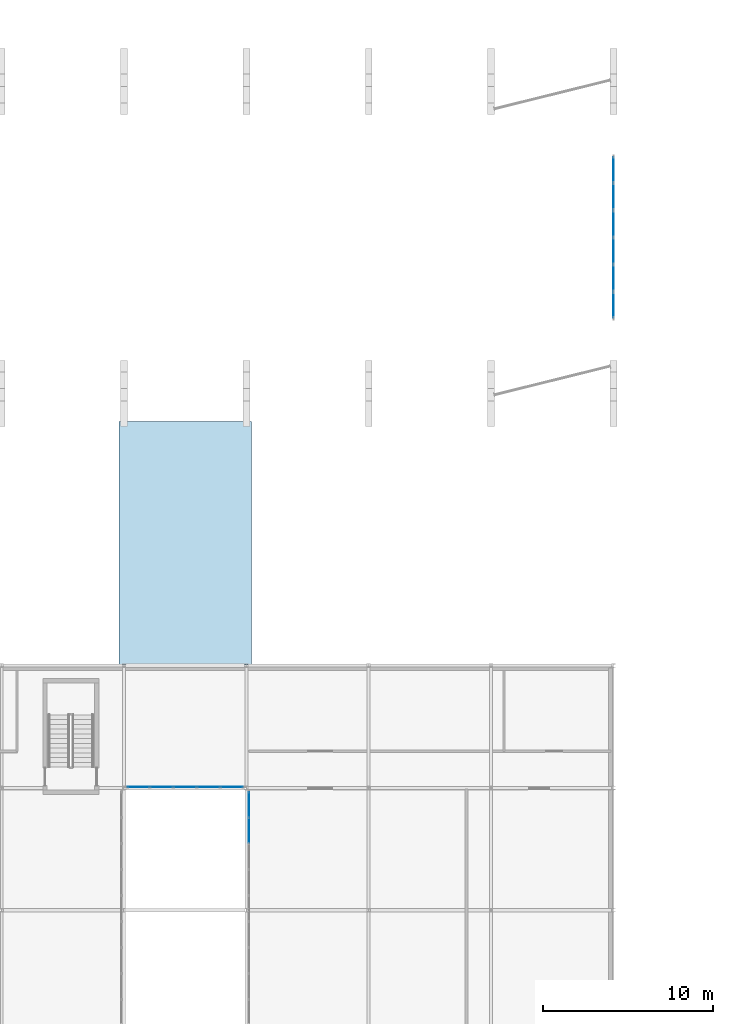
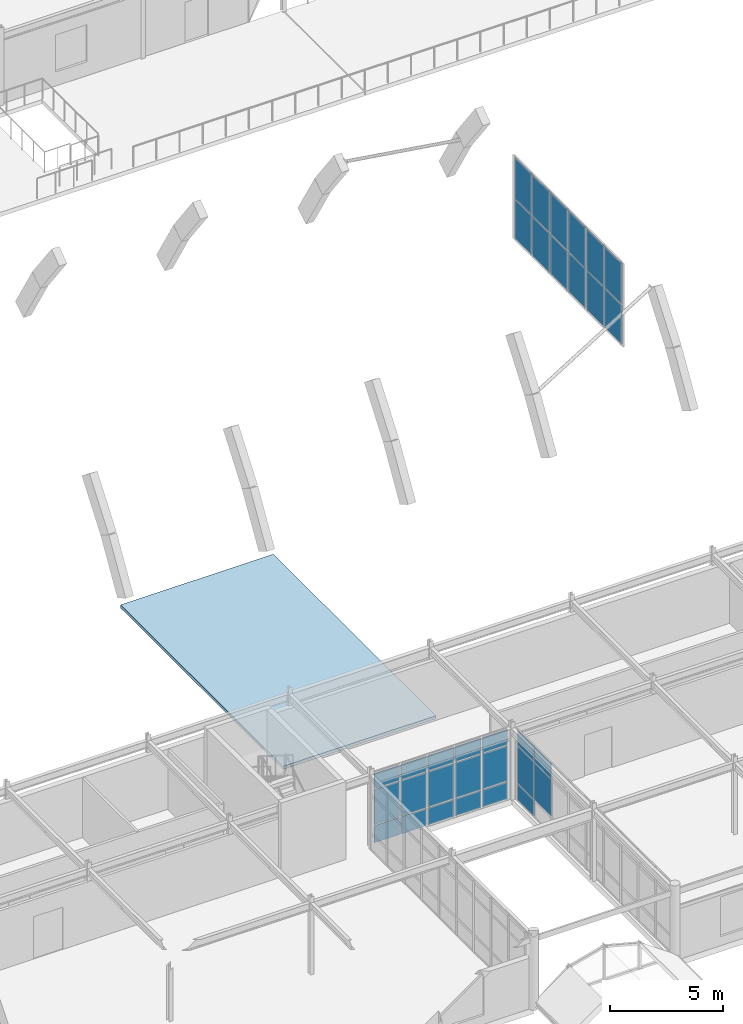
# One storey, part 37 of 85: 32 plates, 1 slab, 3 elements without a shape of their own.
"""IFC4 building model written with IfcOpenShell, lengths in metres."""

from ifc_helpers import new_model, si_unit, direction, frame, origin, origin_2d, place, context, subcontext, project, spatial, polyline, rectangle, outline, extrude, material, layer, layer_set, type_object, element, aggregate, save


model = new_model("IFC4")

# Units and contexts
model_context = context("Model", 3, precision=1e-05, world=origin(), true_north=direction((0.0, 1.0)))
body_context = subcontext(model_context, "Body", "Model", "MODEL_VIEW")
ifc_project = project(units=[si_unit("LENGTHUNIT", "METRE"), si_unit("AREAUNIT", "SQUARE_METRE"), si_unit("VOLUMEUNIT", "CUBIC_METRE"), si_unit("PLANEANGLEUNIT", "RADIAN"), si_unit("MASSUNIT", "GRAM", prefix="KILO")], contexts=[model_context])

# Site, building, storey
site_placement = place(None, origin())
site = spatial("IfcSite", under=ifc_project, at=site_placement, CompositionType="ELEMENT")
building_placement = place(site_placement, origin())
building = spatial("IfcBuilding", under=site, at=building_placement, Name="Ochrevale Crest", CompositionType="ELEMENT")
storey_placement = place(building_placement, frame((0.0, 0.0, 4.5)))
storey = spatial("IfcBuildingStorey", under=building, at=storey_placement, Name="L01", CompositionType="ELEMENT", Elevation=4.5)

# Curtain wall, plates
ifc_material_1 = material(Name="Anodised aluminium 6063-T5", Category="aluminium")
ifc_layer_1 = layer(ifc_material_1, 0.14990234375)
ifc_layer_set_1 = layer_set([ifc_layer_1], Name="Anodised aluminium 6063-T5")
curtain_wall_type_1 = type_object("IfcCurtainWallType", Name="CW-LNG-480x385", PredefinedType="NOTDEFINED", material=ifc_layer_set_1)
curtain_wall_1_placement = place(storey_placement, origin())
curtain_wall_1 = element("IfcCurtainWall", 1, at=curtain_wall_1_placement, inside=storey, type_object=curtain_wall_type_1, Name="Upper Arcade E passage overlook curtain wall", PredefinedType="NOTDEFINED")
ifc_material_2 = material(Name="Double-glazed low-E insulated glass unit", Category="glass")
ifc_layer_2 = layer(ifc_material_2, 0.028076171875)
ifc_layer_set_2 = layer_set([ifc_layer_2], Name="Double-glazed low-E insulated glass unit")
plate_type_1 = type_object("IfcPlateType", Name="CW-PNL-IGU28", PredefinedType="CURTAIN_PANEL", material=ifc_layer_set_2)
plate_1_placement = place(storey_placement, frame((86.550048828125, 19.10009765625, 0.97998046875), z_axis=(0.0, 0.0, 1.0), x_axis=(0.0, 1.0, 0.0)))
plate_1 = element("IfcPlate", 2, at=plate_1_placement, type_object=plate_type_1, Name="CW11 panel 8.2", PredefinedType="CURTAIN_PANEL", context=body_context, shape_type="SweptSolid", body=[
    extrude(rectangle(XDim=1.46826171875, YDim=0.028076171875, at=origin_2d()), origin(), (0.0, 0.0, 1.0), 1.989990234375),
])
plate_2_placement = place(storey_placement, frame((86.550048828125, 19.10009765625, 3.02978515625), z_axis=(0.0, 0.0, 1.0), x_axis=(0.0, 1.0, 0.0)))
plate_2 = element("IfcPlate", 3, at=plate_2_placement, type_object=plate_type_1, Name="CW11 panel 8.3", PredefinedType="CURTAIN_PANEL", context=body_context, shape_type="SweptSolid", body=[
    extrude(rectangle(XDim=1.46826171875, YDim=0.028076171875, at=origin_2d()), origin(), (0.0, 0.0, 1.0), 0.760009765625),
])
plate_3_placement = place(storey_placement, frame((86.550048828125, 20.6171875, 0.06005859375), z_axis=(0.0, 0.0, 1.0), x_axis=(0.0, 1.0, 0.0)))
plate_3 = element("IfcPlate", 4, at=plate_3_placement, type_object=plate_type_1, Name="CW11 panel 9.1", PredefinedType="CURTAIN_PANEL", context=body_context, shape_type="SweptSolid", body=[
    extrude(rectangle(XDim=1.435791015625, YDim=0.028076171875, at=origin_2d()), origin(), (0.0, 0.0, 1.0), 0.860107421875),
])
plate_4_placement = place(storey_placement, frame((86.550048828125, 20.6171875, 0.97998046875), z_axis=(0.0, 0.0, 1.0), x_axis=(0.0, 1.0, 0.0)))
plate_4 = element("IfcPlate", 5, at=plate_4_placement, type_object=plate_type_1, Name="CW11 panel 9.2", PredefinedType="CURTAIN_PANEL", context=body_context, shape_type="SweptSolid", body=[
    extrude(rectangle(XDim=1.435791015625, YDim=0.028076171875, at=origin_2d()), origin(), (0.0, 0.0, 1.0), 1.989990234375),
])
plate_5_placement = place(storey_placement, frame((86.550048828125, 20.6171875, 3.02978515625), z_axis=(0.0, 0.0, 1.0), x_axis=(0.0, 1.0, 0.0)))
plate_5 = element("IfcPlate", 6, at=plate_5_placement, type_object=plate_type_1, Name="CW11 panel 9.3", PredefinedType="CURTAIN_PANEL", context=body_context, shape_type="SweptSolid", body=[
    extrude(rectangle(XDim=1.435791015625, YDim=0.028076171875, at=origin_2d()), origin(), (0.0, 0.0, 1.0), 0.760009765625),
])
aggregate(curtain_wall_1, [plate_1, plate_2, plate_3, plate_4, plate_5])

ifc_layer_3 = layer(ifc_material_1, 0.14990234375)
ifc_layer_set_3 = layer_set([ifc_layer_3], Name="Anodised aluminium 6063-T5")
curtain_wall_type_2 = type_object("IfcCurtainWallType", Name="CW-HALL-960x430", PredefinedType="NOTDEFINED", material=ifc_layer_set_3)
curtain_wall_2_placement = place(storey_placement, origin())
curtain_wall_2 = element("IfcCurtainWall", 7, at=curtain_wall_2_placement, inside=storey, type_object=curtain_wall_type_2, Name="Community Hall E barrel-vault glazed tympanum curtain wall", PredefinedType="NOTDEFINED")
ifc_material_3 = material(Name="Acoustic laminated low-E insulated glass unit", Category="glass")
ifc_layer_4 = layer(ifc_material_3, 0.0380859375)
ifc_layer_set_4 = layer_set([ifc_layer_4], Name="Acoustic laminated low-E insulated glass unit")
plate_type_2 = type_object("IfcPlateType", Name="CW-PNL-IGU38", PredefinedType="CURTAIN_PANEL", material=ifc_layer_set_4)
plate_6_placement = place(storey_placement, frame((108.0, 50.018798828125, 0.1650390625), z_axis=(0.0, 0.0, 1.0), x_axis=(0.0, 1.0, 0.0)))
plate_6 = element("IfcPlate", 8, at=plate_6_placement, type_object=plate_type_2, Name="CW21 panel 1.1", PredefinedType="CURTAIN_PANEL", context=body_context, shape_type="SweptSolid", body=[
    extrude(rectangle(XDim=1.487548828125, YDim=0.0380859375, at=origin_2d()), origin(), (0.0, 0.0, 1.0), 2.1025390625),
])
plate_7_placement = place(storey_placement, frame((108.0, 50.018798828125, 2.33251953125), z_axis=(0.0, 0.0, 1.0), x_axis=(0.0, 1.0, 0.0)))
plate_7 = element("IfcPlate", 9, at=plate_7_placement, type_object=plate_type_2, Name="CW21 panel 1.2", PredefinedType="CURTAIN_PANEL", context=body_context, shape_type="SweptSolid", body=[
    extrude(rectangle(XDim=1.487548828125, YDim=0.0380859375, at=origin_2d()), origin(), (0.0, 0.0, 1.0), 2.1826171875),
])
plate_8_placement = place(storey_placement, frame((108.0, 51.60009765625, 0.1650390625), z_axis=(0.0, 0.0, 1.0), x_axis=(0.0, 1.0, 0.0)))
plate_8 = element("IfcPlate", 10, at=plate_8_placement, type_object=plate_type_2, Name="CW21 panel 2.1", PredefinedType="CURTAIN_PANEL", context=body_context, shape_type="SweptSolid", body=[
    extrude(rectangle(XDim=1.52490234375, YDim=0.0380859375, at=origin_2d()), origin(), (0.0, 0.0, 1.0), 2.1025390625),
])
plate_9_placement = place(storey_placement, frame((108.0, 51.60009765625, 2.33251953125), z_axis=(0.0, 0.0, 1.0), x_axis=(0.0, 1.0, 0.0)))
plate_9 = element("IfcPlate", 11, at=plate_9_placement, type_object=plate_type_2, Name="CW21 panel 2.2", PredefinedType="CURTAIN_PANEL", context=body_context, shape_type="SweptSolid", body=[
    extrude(rectangle(XDim=1.52490234375, YDim=0.0380859375, at=origin_2d()), origin(), (0.0, 0.0, 1.0), 2.1826171875),
])
plate_10_placement = place(storey_placement, frame((108.0, 53.199951171875, 0.1650390625), z_axis=(0.0, 0.0, 1.0), x_axis=(0.0, 1.0, 0.0)))
plate_10 = element("IfcPlate", 12, at=plate_10_placement, type_object=plate_type_2, Name="CW21 panel 3.1", PredefinedType="CURTAIN_PANEL", context=body_context, shape_type="SweptSolid", body=[
    extrude(rectangle(XDim=1.52490234375, YDim=0.0380859375, at=origin_2d()), origin(), (0.0, 0.0, 1.0), 2.1025390625),
])
plate_11_placement = place(storey_placement, frame((108.0, 53.199951171875, 2.33251953125), z_axis=(0.0, 0.0, 1.0), x_axis=(0.0, 1.0, 0.0)))
plate_11 = element("IfcPlate", 13, at=plate_11_placement, type_object=plate_type_2, Name="CW21 panel 3.2", PredefinedType="CURTAIN_PANEL", context=body_context, shape_type="SweptSolid", body=[
    extrude(rectangle(XDim=1.52490234375, YDim=0.0380859375, at=origin_2d()), origin(), (0.0, 0.0, 1.0), 2.1826171875),
])
plate_12_placement = place(storey_placement, frame((108.0, 54.800048828125, 0.1650390625), z_axis=(0.0, 0.0, 1.0), x_axis=(0.0, 1.0, 0.0)))
plate_12 = element("IfcPlate", 14, at=plate_12_placement, type_object=plate_type_2, Name="CW21 panel 4.1", PredefinedType="CURTAIN_PANEL", context=body_context, shape_type="SweptSolid", body=[
    extrude(rectangle(XDim=1.52490234375, YDim=0.0380859375, at=origin_2d()), origin(), (0.0, 0.0, 1.0), 2.1025390625),
])
plate_13_placement = place(storey_placement, frame((108.0, 54.800048828125, 2.33251953125), z_axis=(0.0, 0.0, 1.0), x_axis=(0.0, 1.0, 0.0)))
plate_13 = element("IfcPlate", 15, at=plate_13_placement, type_object=plate_type_2, Name="CW21 panel 4.2", PredefinedType="CURTAIN_PANEL", context=body_context, shape_type="SweptSolid", body=[
    extrude(rectangle(XDim=1.52490234375, YDim=0.0380859375, at=origin_2d()), origin(), (0.0, 0.0, 1.0), 2.1826171875),
])
plate_14_placement = place(storey_placement, frame((108.0, 56.39990234375, 0.1650390625), z_axis=(0.0, 0.0, 1.0), x_axis=(0.0, 1.0, 0.0)))
plate_14 = element("IfcPlate", 16, at=plate_14_placement, type_object=plate_type_2, Name="CW21 panel 5.1", PredefinedType="CURTAIN_PANEL", context=body_context, shape_type="SweptSolid", body=[
    extrude(rectangle(XDim=1.52490234375, YDim=0.0380859375, at=origin_2d()), origin(), (0.0, 0.0, 1.0), 2.1025390625),
])
plate_15_placement = place(storey_placement, frame((108.0, 56.39990234375, 2.33251953125), z_axis=(0.0, 0.0, 1.0), x_axis=(0.0, 1.0, 0.0)))
plate_15 = element("IfcPlate", 17, at=plate_15_placement, type_object=plate_type_2, Name="CW21 panel 5.2", PredefinedType="CURTAIN_PANEL", context=body_context, shape_type="SweptSolid", body=[
    extrude(rectangle(XDim=1.52490234375, YDim=0.0380859375, at=origin_2d()), origin(), (0.0, 0.0, 1.0), 2.1826171875),
])
plate_16_placement = place(storey_placement, frame((108.0, 57.981201171875, 0.1650390625), z_axis=(0.0, 0.0, 1.0), x_axis=(0.0, 1.0, 0.0)))
plate_16 = element("IfcPlate", 18, at=plate_16_placement, type_object=plate_type_2, Name="CW21 panel 6.1", PredefinedType="CURTAIN_PANEL", context=body_context, shape_type="SweptSolid", body=[
    extrude(rectangle(XDim=1.487548828125, YDim=0.0380859375, at=origin_2d()), origin(), (0.0, 0.0, 1.0), 2.1025390625),
])
plate_17_placement = place(storey_placement, frame((108.0, 57.981201171875, 2.33251953125), z_axis=(0.0, 0.0, 1.0), x_axis=(0.0, 1.0, 0.0)))
plate_17 = element("IfcPlate", 19, at=plate_17_placement, type_object=plate_type_2, Name="CW21 panel 6.2", PredefinedType="CURTAIN_PANEL", context=body_context, shape_type="SweptSolid", body=[
    extrude(rectangle(XDim=1.487548828125, YDim=0.0380859375, at=origin_2d()), origin(), (0.0, 0.0, 1.0), 2.1826171875),
])
aggregate(curtain_wall_2, [plate_6, plate_7, plate_8, plate_9, plate_10, plate_11, plate_12, plate_13, plate_14, plate_15, plate_16, plate_17])

ifc_layer_5 = layer(ifc_material_1, 0.14990234375)
ifc_layer_set_5 = layer_set([ifc_layer_5], Name="Anodised aluminium 6063-T5")
curtain_wall_type_3 = type_object("IfcCurtainWallType", Name="CW-LNG-600x385", PredefinedType="NOTDEFINED", material=ifc_layer_set_5)
curtain_wall_3_placement = place(storey_placement, origin())
curtain_wall_3 = element("IfcCurtainWall", 20, at=curtain_wall_3_placement, inside=storey, type_object=curtain_wall_type_3, Name="Residents Gallery Bridge south curtain wall over public passage", PredefinedType="NOTDEFINED")
plate_18_placement = place(storey_placement, frame((80.049560546875, 21.64990234375, 0.06005859375), z_axis=(0.0, 0.0, 1.0), x_axis=(1.0, 0.0, 0.0)))
plate_18 = element("IfcPlate", 21, at=plate_18_placement, type_object=plate_type_2, Name="CW12 panel 1.1", PredefinedType="CURTAIN_PANEL", context=body_context, shape_type="SweptSolid", body=[
    extrude(rectangle(XDim=1.285888671875, YDim=0.0380859375, at=origin_2d()), origin(), (0.0, 0.0, 1.0), 0.909912109375),
])
plate_19_placement = place(storey_placement, frame((80.049560546875, 21.64990234375, 1.0302734375), z_axis=(0.0, 0.0, 1.0), x_axis=(1.0, 0.0, 0.0)))
plate_19 = element("IfcPlate", 22, at=plate_19_placement, type_object=plate_type_2, Name="CW12 panel 1.2", PredefinedType="CURTAIN_PANEL", context=body_context, shape_type="SweptSolid", body=[
    extrude(rectangle(XDim=1.285888671875, YDim=0.0380859375, at=origin_2d()), origin(), (0.0, 0.0, 1.0), 1.889892578125),
])
plate_20_placement = place(storey_placement, frame((80.049560546875, 21.64990234375, 2.97998046875), z_axis=(0.0, 0.0, 1.0), x_axis=(1.0, 0.0, 0.0)))
plate_20 = element("IfcPlate", 23, at=plate_20_placement, type_object=plate_type_2, Name="CW12 panel 1.3", PredefinedType="CURTAIN_PANEL", context=body_context, shape_type="SweptSolid", body=[
    extrude(rectangle(XDim=1.285888671875, YDim=0.0380859375, at=origin_2d()), origin(), (0.0, 0.0, 1.0), 0.81005859375),
])
plate_21_placement = place(storey_placement, frame((81.416748046875, 21.64990234375, 0.06005859375), z_axis=(0.0, 0.0, 1.0), x_axis=(1.0, 0.0, 0.0)))
plate_21 = element("IfcPlate", 24, at=plate_21_placement, type_object=plate_type_2, Name="CW12 panel 2.1", PredefinedType="CURTAIN_PANEL", context=body_context, shape_type="SweptSolid", body=[
    extrude(rectangle(XDim=1.318359375, YDim=0.0380859375, at=origin_2d()), origin(), (0.0, 0.0, 1.0), 0.909912109375),
])
plate_22_placement = place(storey_placement, frame((81.416748046875, 21.64990234375, 1.0302734375), z_axis=(0.0, 0.0, 1.0), x_axis=(1.0, 0.0, 0.0)))
plate_22 = element("IfcPlate", 25, at=plate_22_placement, type_object=plate_type_2, Name="CW12 panel 2.2", PredefinedType="CURTAIN_PANEL", context=body_context, shape_type="SweptSolid", body=[
    extrude(rectangle(XDim=1.318359375, YDim=0.0380859375, at=origin_2d()), origin(), (0.0, 0.0, 1.0), 1.889892578125),
])
plate_23_placement = place(storey_placement, frame((81.416748046875, 21.64990234375, 2.97998046875), z_axis=(0.0, 0.0, 1.0), x_axis=(1.0, 0.0, 0.0)))
plate_23 = element("IfcPlate", 26, at=plate_23_placement, type_object=plate_type_2, Name="CW12 panel 2.3", PredefinedType="CURTAIN_PANEL", context=body_context, shape_type="SweptSolid", body=[
    extrude(rectangle(XDim=1.318359375, YDim=0.0380859375, at=origin_2d()), origin(), (0.0, 0.0, 1.0), 0.81005859375),
])
plate_24_placement = place(storey_placement, frame((82.800048828125, 21.64990234375, 0.06005859375), z_axis=(0.0, 0.0, 1.0), x_axis=(1.0, 0.0, 0.0)))
plate_24 = element("IfcPlate", 27, at=plate_24_placement, type_object=plate_type_2, Name="CW12 panel 3.1", PredefinedType="CURTAIN_PANEL", context=body_context, shape_type="SweptSolid", body=[
    extrude(rectangle(XDim=1.318359375, YDim=0.0380859375, at=origin_2d()), origin(), (0.0, 0.0, 1.0), 0.909912109375),
])
plate_25_placement = place(storey_placement, frame((82.800048828125, 21.64990234375, 1.0302734375), z_axis=(0.0, 0.0, 1.0), x_axis=(1.0, 0.0, 0.0)))
plate_25 = element("IfcPlate", 28, at=plate_25_placement, type_object=plate_type_2, Name="CW12 panel 3.2", PredefinedType="CURTAIN_PANEL", context=body_context, shape_type="SweptSolid", body=[
    extrude(rectangle(XDim=1.318359375, YDim=0.0380859375, at=origin_2d()), origin(), (0.0, 0.0, 1.0), 1.889892578125),
])
plate_26_placement = place(storey_placement, frame((82.800048828125, 21.64990234375, 2.97998046875), z_axis=(0.0, 0.0, 1.0), x_axis=(1.0, 0.0, 0.0)))
plate_26 = element("IfcPlate", 29, at=plate_26_placement, type_object=plate_type_2, Name="CW12 panel 3.3", PredefinedType="CURTAIN_PANEL", context=body_context, shape_type="SweptSolid", body=[
    extrude(rectangle(XDim=1.318359375, YDim=0.0380859375, at=origin_2d()), origin(), (0.0, 0.0, 1.0), 0.81005859375),
])
plate_27_placement = place(storey_placement, frame((84.183349609375, 21.64990234375, 0.06005859375), z_axis=(0.0, 0.0, 1.0), x_axis=(1.0, 0.0, 0.0)))
plate_27 = element("IfcPlate", 30, at=plate_27_placement, type_object=plate_type_2, Name="CW12 panel 4.1", PredefinedType="CURTAIN_PANEL", context=body_context, shape_type="SweptSolid", body=[
    extrude(rectangle(XDim=1.318359375, YDim=0.0380859375, at=origin_2d()), origin(), (0.0, 0.0, 1.0), 0.909912109375),
])
plate_28_placement = place(storey_placement, frame((84.183349609375, 21.64990234375, 1.0302734375), z_axis=(0.0, 0.0, 1.0), x_axis=(1.0, 0.0, 0.0)))
plate_28 = element("IfcPlate", 31, at=plate_28_placement, type_object=plate_type_2, Name="CW12 panel 4.2", PredefinedType="CURTAIN_PANEL", context=body_context, shape_type="SweptSolid", body=[
    extrude(rectangle(XDim=1.318359375, YDim=0.0380859375, at=origin_2d()), origin(), (0.0, 0.0, 1.0), 1.889892578125),
])
plate_29_placement = place(storey_placement, frame((84.183349609375, 21.64990234375, 2.97998046875), z_axis=(0.0, 0.0, 1.0), x_axis=(1.0, 0.0, 0.0)))
plate_29 = element("IfcPlate", 32, at=plate_29_placement, type_object=plate_type_2, Name="CW12 panel 4.3", PredefinedType="CURTAIN_PANEL", context=body_context, shape_type="SweptSolid", body=[
    extrude(rectangle(XDim=1.318359375, YDim=0.0380859375, at=origin_2d()), origin(), (0.0, 0.0, 1.0), 0.81005859375),
])
plate_30_placement = place(storey_placement, frame((85.550537109375, 21.64990234375, 0.06005859375), z_axis=(0.0, 0.0, 1.0), x_axis=(1.0, 0.0, 0.0)))
plate_30 = element("IfcPlate", 33, at=plate_30_placement, type_object=plate_type_2, Name="CW12 panel 5.1", PredefinedType="CURTAIN_PANEL", context=body_context, shape_type="SweptSolid", body=[
    extrude(rectangle(XDim=1.285888671875, YDim=0.0380859375, at=origin_2d()), origin(), (0.0, 0.0, 1.0), 0.909912109375),
])
plate_31_placement = place(storey_placement, frame((85.550537109375, 21.64990234375, 1.0302734375), z_axis=(0.0, 0.0, 1.0), x_axis=(1.0, 0.0, 0.0)))
plate_31 = element("IfcPlate", 34, at=plate_31_placement, type_object=plate_type_2, Name="CW12 panel 5.2", PredefinedType="CURTAIN_PANEL", context=body_context, shape_type="SweptSolid", body=[
    extrude(rectangle(XDim=1.285888671875, YDim=0.0380859375, at=origin_2d()), origin(), (0.0, 0.0, 1.0), 1.889892578125),
])
plate_32_placement = place(storey_placement, frame((85.550537109375, 21.64990234375, 2.97998046875), z_axis=(0.0, 0.0, 1.0), x_axis=(1.0, 0.0, 0.0)))
plate_32 = element("IfcPlate", 35, at=plate_32_placement, type_object=plate_type_2, Name="CW12 panel 5.3", PredefinedType="CURTAIN_PANEL", context=body_context, shape_type="SweptSolid", body=[
    extrude(rectangle(XDim=1.285888671875, YDim=0.0380859375, at=origin_2d()), origin(), (0.0, 0.0, 1.0), 0.81005859375),
])
aggregate(curtain_wall_3, [plate_18, plate_19, plate_20, plate_21, plate_22, plate_23, plate_24, plate_25, plate_26, plate_27, plate_28, plate_29, plate_30, plate_31, plate_32])

# Slab
ifc_material_4 = material(Name="Precast concrete C40/50", Category="concrete")
ifc_layer_6 = layer(ifc_material_4, 0.1650390625)
ifc_layer_set_6 = layer_set([ifc_layer_6], Name="Precast concrete C40/50")
slab_type = type_object("IfcSlabType", Name="SLB-CANOPY-165", PredefinedType="ROOF", material=ifc_layer_set_6)
slab_placement = place(storey_placement, frame((0.0, 0.0, -0.1650390625)))
element("IfcSlab", 36, at=slab_placement, inside=storey, type_object=slab_type, Name="Covered public passage canopy roof slab", PredefinedType="ROOF", context=body_context, shape_type="SweptSolid", body=[
    extrude(outline(polyline([(78.89990234375, 28.820068359375), (86.699951171875, 28.820068359375), (86.699951171875, 43.179931640625), (78.89990234375, 43.179931640625), (78.89990234375, 28.820068359375)])), origin(), (0.0, 0.0, 1.0), 0.1650390625),
])

save(model, "model.ifc")
